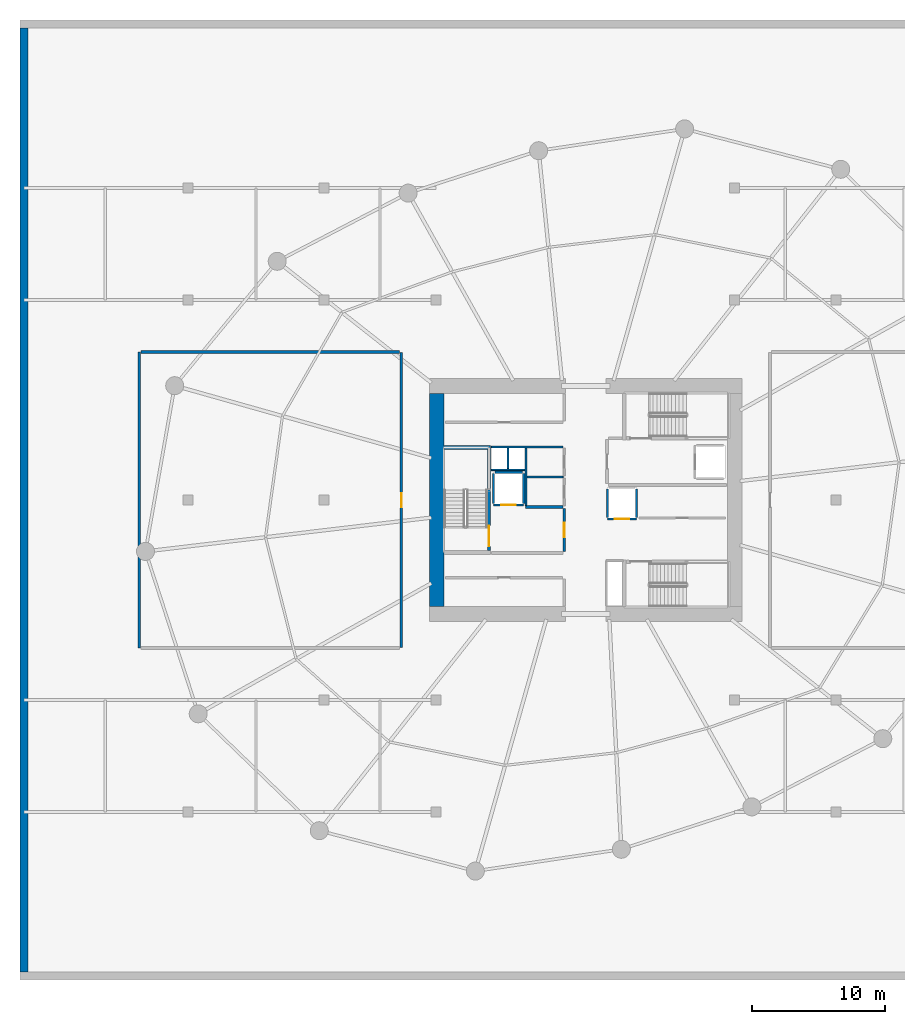
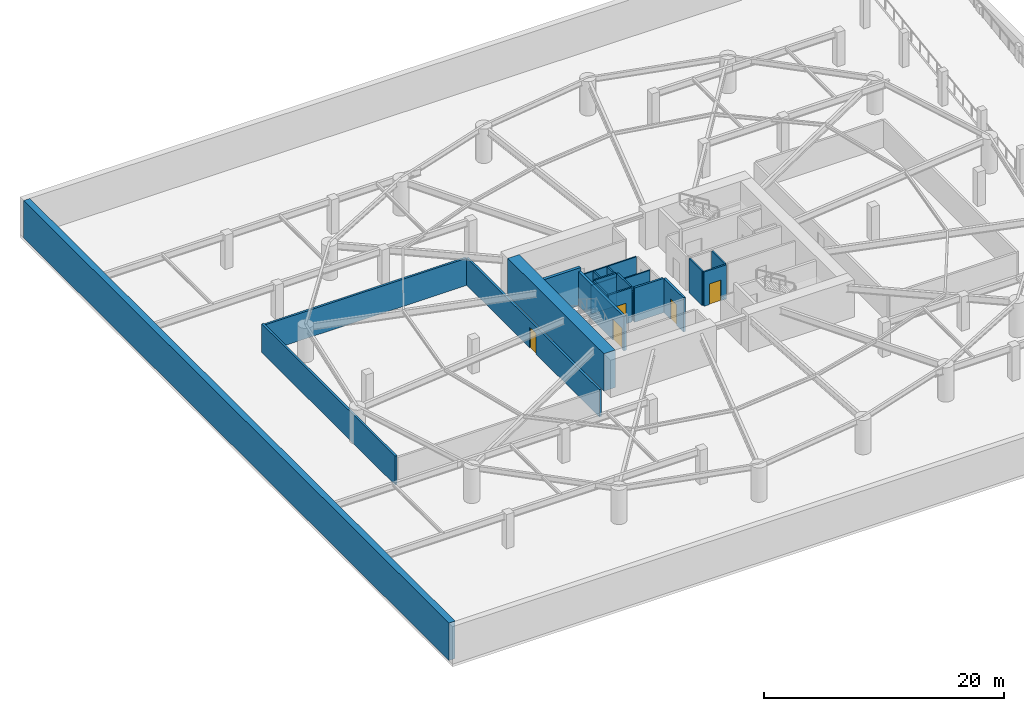
# One storey, part 9 of 13: 21 walls, 5 doors, 5 openings.
"""IFC4 building model written with IfcOpenShell, lengths in metres."""

from ifc_helpers import new_model, si_unit, direction, frame, frame_2d, origin, place, context, subcontext, project, spatial, rectangle, extrude, material, layer, layer_set, type_object, element, fill, save


model = new_model("IFC4")

# Units and contexts
model_context = context("Model", 3, precision=1e-05, world=origin(), true_north=direction((0.0, 1.0)))
body_context = subcontext(model_context, "Body", "Model", "MODEL_VIEW")
ifc_project = project(units=[si_unit("LENGTHUNIT", "METRE"), si_unit("AREAUNIT", "SQUARE_METRE"), si_unit("VOLUMEUNIT", "CUBIC_METRE"), si_unit("PLANEANGLEUNIT", "RADIAN"), si_unit("MASSUNIT", "GRAM", prefix="KILO")], contexts=[model_context])

# Site, building, storey
site_placement = place(None, origin())
site = spatial("IfcSite", under=ifc_project, at=site_placement, CompositionType="ELEMENT")
building_placement = place(site_placement, origin())
building = spatial("IfcBuilding", under=site, at=building_placement, Name="Kazma Halo Residences", CompositionType="ELEMENT")
storey_placement = place(building_placement, frame((0.0, 0.0, -3.800048828125)))
storey = spatial("IfcBuildingStorey", under=building, at=storey_placement, Name="B01", CompositionType="ELEMENT", Elevation=-3.800048828125)

# Walls
ifc_material_1 = material(Name="Concrete C80/95", Category="concrete")
ifc_layer_1 = layer(ifc_material_1, 1.10009765625)
ifc_layer_set_1 = layer_set([ifc_layer_1], Name="Concrete C80/95")
wall_type_1 = type_object("IfcWallType", Name="WL-CORE-1100", PredefinedType="SHEAR", material=ifc_layer_set_1)
wall_1_placement = place(storey_placement, frame((37.25, 34.0, 0.0), z_axis=(0.0, 0.0, 1.0), x_axis=(0.0, 1.0, 0.0)))
element("IfcWall", 1, at=wall_1_placement, inside=storey, type_object=wall_type_1, Name="B01 central core shear wall W", PredefinedType="SHEAR", context=body_context, shape_type="SweptSolid", body=[
    extrude(rectangle(XDim=16.0, YDim=1.10009765625, at=frame_2d((8.0, 0.0))), origin(), (0.0, 0.0, 1.0), 3.800048828125),
])
ifc_material_2 = material(Name="Concrete C60/75", Category="concrete")
ifc_layer_2 = layer(ifc_material_2, 0.280029296875)
ifc_layer_set_2 = layer_set([ifc_layer_2], Name="Concrete C60/75")
wall_type_2 = type_object("IfcWallType", Name="WL-CORE-ST-280", PredefinedType="SHEAR", material=ifc_layer_set_2)
wall_2_placement = place(storey_placement, frame((37.800048828125, 45.93994140625, 0.0), z_axis=(0.0, 0.0, 1.0), x_axis=(1.0, 0.0, 0.0)))
element("IfcWall", 2, at=wall_2_placement, inside=storey, type_object=wall_type_2, Name="B01 stairwell bearing wall ST01-N", PredefinedType="SHEAR", context=body_context, shape_type="SweptSolid", body=[
    extrude(rectangle(XDim=3.5, YDim=0.280029296875, at=frame_2d((1.75, 0.0))), origin(), (0.0, 0.0, 1.0), 3.800048828125),
])

# Wall, opening, door
ifc_material_3 = material(Name="Fire-Rated Blockwork Masonry", Category="masonry")
ifc_layer_3 = layer(ifc_material_3, 0.199951171875)
ifc_layer_set_3 = layer_set([ifc_layer_3], Name="Fire-Rated Blockwork Masonry")
wall_type_3 = type_object("IfcWallType", Name="WL-FLB-200", PredefinedType="PARTITIONING", material=ifc_layer_set_3)
wall_3_placement = place(storey_placement, frame((43.780029296875, 41.6201171875, 0.0), z_axis=(0.0, 0.0, 1.0), x_axis=(-1.0, 0.0, 0.0)))
wall_3 = element("IfcWall", 3, at=wall_3_placement, inside=storey, type_object=wall_type_3, Name="B01 lift shaft FL-01 front wall", PredefinedType="PARTITIONING", context=body_context, shape_type="SweptSolid", body=[
    extrude(rectangle(XDim=2.260009765625, YDim=0.159912109375, at=frame_2d((1.1298828125, 0.0))), origin(), (0.0, 0.0, 1.0), 3.47998046875),
])
opening_1_placement = place(wall_3_placement, frame((0.580078125, 0.0, 0.0)))
opening_1 = element("IfcOpeningElement", 4, at=opening_1_placement, cuts=wall_3, Name="Opening LD-FL-01", PredefinedType="OPENING", context=body_context, shape_type="SweptSolid", body=[
    extrude(rectangle(XDim=1.10009765625, YDim=2.10009765625, at=frame_2d((0.550048828125, 1.050048828125))), frame((0.0, 0.08984375, 0.0), z_axis=(0.0, -1.0, 0.0), x_axis=(1.0, 0.0, 0.0)), (0.0, 0.0, 1.0), 0.179931640625),
])
ifc_material_4 = material(Name="Stainless Steel Fire-Rated", Category="steel")
door_type_1 = type_object("IfcDoorType", Name="DR-LIFT-SLD-1100", OperationType="DOUBLE_DOOR_SLIDING", PredefinedType="DOOR", material=ifc_material_4)
door_1_placement = place(opening_1_placement, origin())
door_1 = element("IfcDoor", 5, at=door_1_placement, inside=storey, type_object=door_type_1, Name="B01 lift FL-01 sliding landing door", OperationType="DOUBLE_DOOR_SLIDING", OverallHeight=2.10009765625, OverallWidth=1.10009765625, PredefinedType="DOOR", context=body_context, shape_type="SweptSolid", body=[
    extrude(rectangle(XDim=1.10009765625, YDim=2.10009765625, at=frame_2d((0.550048828125, 1.050048828125))), frame((0.0, 0.02490234375, 0.0), z_axis=(0.0, -1.0, 0.0), x_axis=(1.0, 0.0, 0.0)), (0.0, 0.0, 1.0), 0.050048828125),
])
fill(opening_1, door_1)

# Walls
for number, where, z_axis, x_axis, name in (
    (6, (43.780029296875, 41.719970703125, 0.0), (0.0, 0.0, 1.0), (0.0, 1.0, 0.0), "B01 lift shaft FL-01 side wall E"),
    (7, (41.52001953125, 41.719970703125, 0.0), (0.0, 0.0, 1.0), (0.0, 1.0, 0.0), "B01 lift shaft FL-01 side wall W"),
):
    element("IfcWall", number, at=place(storey_placement, frame(where, z_axis=z_axis, x_axis=x_axis)), inside=storey, type_object=wall_type_3, Name=name, PredefinedType="PARTITIONING", context=body_context, shape_type="SweptSolid", body=[
        extrude(rectangle(XDim=2.260009765625, YDim=0.159912109375, at=frame_2d((1.1298828125, 0.0))), origin(), (0.0, 0.0, 1.0), 3.47998046875),
    ])
wall_4_placement = place(storey_placement, frame((41.6201171875, 44.080078125, 0.0), z_axis=(0.0, 0.0, 1.0), x_axis=(1.0, 0.0, 0.0)))
element("IfcWall", 8, at=wall_4_placement, inside=storey, type_object=wall_type_3, Name="B01 lift shaft FL-01 side wall N", PredefinedType="PARTITIONING", context=body_context, shape_type="SweptSolid", body=[
    extrude(rectangle(XDim=2.059814453125, YDim=0.159912109375, at=frame_2d((1.02978515625, 0.0))), origin(), (0.0, 0.0, 1.0), 3.47998046875),
])

# Wall, opening, door
wall_5_placement = place(storey_placement, frame((52.22998046875, 40.570068359375, 0.0), z_axis=(0.0, 0.0, 1.0), x_axis=(-1.0, 0.0, 0.0)))
wall_5 = element("IfcWall", 9, at=wall_5_placement, inside=storey, type_object=wall_type_3, Name="B01 lift shaft SV-01 front wall", PredefinedType="PARTITIONING", context=body_context, shape_type="SweptSolid", body=[
    extrude(rectangle(XDim=2.159912109375, YDim=0.159912109375, at=frame_2d((1.080078125, 0.0))), origin(), (0.0, 0.0, 1.0), 3.47998046875),
])
opening_2_placement = place(wall_5_placement, frame((0.530029296875, 0.0, 0.0)))
opening_2 = element("IfcOpeningElement", 10, at=opening_2_placement, cuts=wall_5, Name="Opening LD-SV-01", PredefinedType="OPENING", context=body_context, shape_type="SweptSolid", body=[
    extrude(rectangle(XDim=1.10009765625, YDim=2.10009765625, at=frame_2d((0.550048828125, 1.050048828125))), frame((0.0, 0.08984375, 0.0), z_axis=(0.0, -1.0, 0.0), x_axis=(1.0, 0.0, 0.0)), (0.0, 0.0, 1.0), 0.179931640625),
])
door_2_placement = place(opening_2_placement, origin())
door_2 = element("IfcDoor", 11, at=door_2_placement, inside=storey, type_object=door_type_1, Name="B01 lift SV-01 sliding landing door", OperationType="DOUBLE_DOOR_SLIDING", OverallHeight=2.10009765625, OverallWidth=1.10009765625, PredefinedType="DOOR", context=body_context, shape_type="SweptSolid", body=[
    extrude(rectangle(XDim=1.10009765625, YDim=2.10009765625, at=frame_2d((0.550048828125, 1.050048828125))), frame((0.0, 0.02490234375, 0.0), z_axis=(0.0, -1.0, 0.0), x_axis=(1.0, 0.0, 0.0)), (0.0, 0.0, 1.0), 0.050048828125),
])
fill(opening_2, door_2)

# Walls
for number, where, z_axis, x_axis, name in (
    (12, (52.22998046875, 40.669921875, 0.0), (0.0, 0.0, 1.0), (0.0, 1.0, 0.0), "B01 lift shaft SV-01 side wall E"),
    (13, (50.070068359375, 40.669921875, 0.0), (0.0, 0.0, 1.0), (0.0, 1.0, 0.0), "B01 lift shaft SV-01 side wall W"),
):
    element("IfcWall", number, at=place(storey_placement, frame(where, z_axis=z_axis, x_axis=x_axis)), inside=storey, type_object=wall_type_3, Name=name, PredefinedType="PARTITIONING", context=body_context, shape_type="SweptSolid", body=[
        extrude(rectangle(XDim=2.16015625, YDim=0.159912109375, at=frame_2d((1.080078125, 0.0))), origin(), (0.0, 0.0, 1.0), 3.47998046875),
    ])
wall_6_placement = place(storey_placement, frame((43.919921875, 41.47998046875, 0.0), z_axis=(0.0, 0.0, 1.0), x_axis=(1.0, 0.0, 0.0)))
element("IfcWall", 14, at=wall_6_placement, inside=storey, type_object=wall_type_3, Name="B01 west firefighting lobby north smoke wall", PredefinedType="PARTITIONING", context=body_context, shape_type="SweptSolid", body=[
    extrude(rectangle(XDim=2.800048828125, YDim=0.199951171875, at=frame_2d((1.39990234375, 0.0))), origin(), (0.0, 0.0, 1.0), 3.47998046875),
])

# Wall, opening, door
wall_7_placement = place(storey_placement, frame((46.820068359375, 38.1201171875, 0.0), z_axis=(0.0, 0.0, 1.0), x_axis=(0.0, 1.0, 0.0)))
wall_7 = element("IfcWall", 15, at=wall_7_placement, inside=storey, type_object=wall_type_3, Name="B01 west firefighting lobby smoke wall", PredefinedType="PARTITIONING", context=body_context, shape_type="SweptSolid", body=[
    extrude(rectangle(XDim=3.259765625, YDim=0.199951171875, at=frame_2d((1.6298828125, 0.0))), origin(), (0.0, 0.0, 1.0), 3.47998046875),
])
opening_3_placement = place(wall_7_placement, frame((1.10498046875, 0.0, 0.0)))
opening_3 = element("IfcOpeningElement", 16, at=opening_3_placement, cuts=wall_7, Name="Opening D-FLW", PredefinedType="OPENING", context=body_context, shape_type="SweptSolid", body=[
    extrude(rectangle(XDim=1.050048828125, YDim=2.10009765625, at=frame_2d((0.52490234375, 1.050048828125))), frame((0.0, 0.10986328125, 0.0), z_axis=(0.0, -1.0, 0.0), x_axis=(1.0, 0.0, 0.0)), (0.0, 0.0, 1.0), 0.219970703125),
])
ifc_material_5 = material(Name="Fire-Rated Steel Leaf", Category="steel")
door_type_2 = type_object("IfcDoorType", Name="DR-FD90-1050", OperationType="NOTDEFINED", PredefinedType="DOOR", material=ifc_material_5)
door_3_placement = place(opening_3_placement, origin())
door_3 = element("IfcDoor", 17, at=door_3_placement, inside=storey, type_object=door_type_2, Name="B01 west firefighting lobby smoke door", OperationType="SINGLE_SWING_RIGHT", OverallHeight=2.10009765625, OverallWidth=1.050048828125, PredefinedType="DOOR", context=body_context, shape_type="SweptSolid", body=[
    extrude(rectangle(XDim=1.050048828125, YDim=2.10009765625, at=frame_2d((0.52490234375, 1.050048828125))), frame((0.0, 0.02490234375, 0.0), z_axis=(0.0, -1.0, 0.0), x_axis=(1.0, 0.0, 0.0)), (0.0, 0.0, 1.0), 0.050048828125),
])
fill(opening_3, door_3)

# Walls
wall_8_placement = place(storey_placement, frame((14.949951171875, 30.89990234375, 0.0), z_axis=(0.0, 0.0, 1.0), x_axis=(0.0, 1.0, 0.0)))
element("IfcWall", 18, at=wall_8_placement, inside=storey, type_object=wall_type_3, Name="B01 west plant west wall", PredefinedType="PARTITIONING", context=body_context, shape_type="SweptSolid", body=[
    extrude(rectangle(XDim=22.2001953125, YDim=0.199951171875, at=frame_2d((11.10009765625, 0.0))), origin(), (0.0, 0.0, 1.0), 2.920166015625),
])
wall_9_placement = place(storey_placement, frame((15.070068359375, 53.10009765625, 0.0), z_axis=(0.0, 0.0, 1.0), x_axis=(1.0, 0.0, 0.0)))
element("IfcWall", 19, at=wall_9_placement, inside=storey, type_object=wall_type_3, Name="B01 west plant north wall", PredefinedType="PARTITIONING", context=body_context, shape_type="SweptSolid", body=[
    extrude(rectangle(XDim=19.409912109375, YDim=0.199951171875, at=frame_2d((9.705078125, 0.0))), origin(), (0.0, 0.0, 1.0), 2.77099609375),
])

# Wall, opening, door
wall_10_placement = place(storey_placement, frame((34.60009765625, 30.949951171875, 0.0), z_axis=(0.0, 0.0, 1.0), x_axis=(0.0, 1.0, 0.0)))
wall_10 = element("IfcWall", 20, at=wall_10_placement, inside=storey, type_object=wall_type_3, Name="B01 basement plant room W fire wall", PredefinedType="PARTITIONING", context=body_context, shape_type="SweptSolid", body=[
    extrude(rectangle(XDim=22.10009765625, YDim=0.199951171875, at=frame_2d((11.050048828125, 0.0))), origin(), (0.0, 0.0, 1.0), 2.77099609375),
])
opening_4_placement = place(wall_10_placement, frame((10.52490234375, 0.0, 0.0)))
opening_4 = element("IfcOpeningElement", 21, at=opening_4_placement, cuts=wall_10, Name="Opening DF-1050", PredefinedType="OPENING", context=body_context, shape_type="SweptSolid", body=[
    extrude(rectangle(XDim=1.050048828125, YDim=2.10009765625, at=frame_2d((0.52490234375, 1.050048828125))), frame((0.0, 0.10986328125, 0.0), z_axis=(0.0, -1.0, 0.0), x_axis=(1.0, 0.0, 0.0)), (0.0, 0.0, 1.0), 0.219970703125),
])
door_4_placement = place(opening_4_placement, origin())
door_4 = element("IfcDoor", 22, at=door_4_placement, inside=storey, type_object=door_type_2, Name="B01 basement plant W personnel door", OperationType="SINGLE_SWING_RIGHT", OverallHeight=2.10009765625, OverallWidth=1.050048828125, PredefinedType="DOOR", context=body_context, shape_type="SweptSolid", body=[
    extrude(rectangle(XDim=1.050048828125, YDim=2.10009765625, at=frame_2d((0.52490234375, 1.050048828125))), frame((0.0, 0.02490234375, 0.0), z_axis=(0.0, -1.0, 0.0), x_axis=(1.0, 0.0, 0.0)), (0.0, 0.0, 1.0), 0.050048828125),
])
fill(opening_4, door_4)

# Walls
ifc_material_6 = material(Name="Gypsum Plasterboard Partition")
ifc_layer_4 = layer(ifc_material_6, 0.125)
ifc_layer_set_4 = layer_set([ifc_layer_4], Name="Gypsum Plasterboard Partition")
wall_type_4 = type_object("IfcWallType", Name="WL-PART-125", PredefinedType="PARTITIONING", material=ifc_layer_set_4)
wall_11_placement = place(storey_placement, frame((41.360107421875, 45.97998046875, 0.0), z_axis=(0.0, 0.0, 1.0), x_axis=(1.0, 0.0, 0.0)))
element("IfcWall", 23, at=wall_11_placement, inside=storey, type_object=wall_type_4, Name="B01 core north riser wall", PredefinedType="PARTITIONING", context=body_context, shape_type="SweptSolid", body=[
    extrude(rectangle(XDim=5.35986328125, YDim=0.125, at=frame_2d((2.679931640625, 0.0))), origin(), (0.0, 0.0, 1.0), 2.920166015625),
])
wall_12_placement = place(storey_placement, frame((41.360107421875, 44.260009765625, 0.0), z_axis=(0.0, 0.0, 1.0), x_axis=(1.0, 0.0, 0.0)))
element("IfcWall", 24, at=wall_12_placement, inside=storey, type_object=wall_type_4, Name="B01 core riser south wall", PredefinedType="PARTITIONING", context=body_context, shape_type="SweptSolid", body=[
    extrude(rectangle(XDim=2.5, YDim=0.125, at=frame_2d((1.25, 0.0))), origin(), (0.0, 0.0, 1.0), 2.920166015625),
])
wall_13_placement = place(storey_placement, frame((42.60009765625, 44.35009765625, 0.0), z_axis=(0.0, 0.0, 1.0), x_axis=(0.0, 1.0, 0.0)))
element("IfcWall", 25, at=wall_13_placement, inside=storey, type_object=wall_type_4, Name="B01 core riser divider wall", PredefinedType="PARTITIONING", context=body_context, shape_type="SweptSolid", body=[
    extrude(rectangle(XDim=1.5498046875, YDim=0.125, at=frame_2d((0.77490234375, 0.0))), origin(), (0.0, 0.0, 1.0), 2.920166015625),
])
wall_14_placement = place(storey_placement, frame((43.949951171875, 41.580078125, 0.0), z_axis=(0.0, 0.0, 1.0), x_axis=(0.0, 1.0, 0.0)))
element("IfcWall", 26, at=wall_14_placement, inside=storey, type_object=wall_type_4, Name="B01 core service west wall", PredefinedType="PARTITIONING", context=body_context, shape_type="SweptSolid", body=[
    extrude(rectangle(XDim=4.31982421875, YDim=0.125, at=frame_2d((2.159912109375, 0.0))), origin(), (0.0, 0.0, 1.0), 2.920166015625),
])
wall_15_placement = place(storey_placement, frame((44.030029296875, 43.72998046875, 0.0), z_axis=(0.0, 0.0, 1.0), x_axis=(1.0, 0.0, 0.0)))
element("IfcWall", 27, at=wall_15_placement, inside=storey, type_object=wall_type_4, Name="B01 switch/IDF divider", PredefinedType="PARTITIONING", context=body_context, shape_type="SweptSolid", body=[
    extrude(rectangle(XDim=2.7099609375, YDim=0.125, at=frame_2d((1.35498046875, 0.0))), origin(), (0.0, 0.0, 1.0), 2.920166015625),
])
ifc_material_7 = material(Name="Concrete C50/60", Category="concrete")
ifc_layer_5 = layer(ifc_material_7, 0.60009765625)
ifc_layer_set_5 = layer_set([ifc_layer_5], Name="Concrete C50/60")
wall_type_5 = type_object("IfcWallType", Name="WL-RET-600", PredefinedType="USERDEFINED", material=ifc_layer_set_5)
wall_16_placement = place(storey_placement, frame((6.300048828125, 6.60009765625, 0.0), z_axis=(0.0, 0.0, 1.0), x_axis=(0.0, 1.0, 0.0)))
element("IfcWall", 28, at=wall_16_placement, inside=storey, type_object=wall_type_5, Name="B01 W perimeter retaining wall", ObjectType="RETAININGWALL", PredefinedType="USERDEFINED", context=body_context, shape_type="SweptSolid", body=[
    extrude(rectangle(XDim=70.7998046875, YDim=0.60009765625, at=frame_2d((35.39990234375, 0.0))), origin(), (0.0, 0.0, 1.0), 3.800048828125),
])

# Wall, opening, door
ifc_layer_6 = layer(ifc_material_7, 0.25)
ifc_layer_set_6 = layer_set([ifc_layer_6], Name="Concrete C50/60")
wall_type_6 = type_object("IfcWallType", Name="WL-SHF-250", PredefinedType="SOLIDWALL", material=ifc_layer_set_6)
wall_17_placement = place(storey_placement, frame((41.179931640625, 38.219970703125, 0.0), z_axis=(0.0, 0.0, 1.0), x_axis=(0.0, 1.0, 0.0)))
wall_17 = element("IfcWall", 29, at=wall_17_placement, inside=storey, type_object=wall_type_6, Name="B01 exit stair ST-01 enclosure wall", PredefinedType="SOLIDWALL", context=body_context, shape_type="SweptSolid", body=[
    extrude(rectangle(XDim=7.56005859375, YDim=0.25, at=frame_2d((3.780029296875, 0.0))), origin(), (0.0, 0.0, 1.0), 3.47998046875),
])
opening_5_placement = place(wall_17_placement, frame((0.300048828125, 0.0, 0.0)))
opening_5 = element("IfcOpeningElement", 30, at=opening_5_placement, cuts=wall_17, Name="Opening D-ST1", PredefinedType="OPENING", context=body_context, shape_type="SweptSolid", body=[
    extrude(rectangle(XDim=1.550048828125, YDim=2.14990234375, at=frame_2d((0.77490234375, 1.074951171875))), frame((0.0, 0.135009765625, 0.0), z_axis=(0.0, -1.0, 0.0), x_axis=(1.0, 0.0, 0.0)), (0.0, 0.0, 1.0), 0.27001953125),
])
ifc_material_8 = material(Name="Fire-Rated Double Steel Leaf", Category="steel")
door_type_3 = type_object("IfcDoorType", Name="DR-FD90-1550", OperationType="NOTDEFINED", PredefinedType="DOOR", material=ifc_material_8)
door_5_placement = place(opening_5_placement, origin())
door_5 = element("IfcDoor", 31, at=door_5_placement, inside=storey, type_object=door_type_3, Name="B01 exit stair ST-01 fire door", OperationType="DOUBLE_DOOR_SINGLE_SWING", OverallHeight=2.14990234375, OverallWidth=1.550048828125, PredefinedType="DOOR", context=body_context, shape_type="SweptSolid", body=[
    extrude(rectangle(XDim=1.550048828125, YDim=2.14990234375, at=frame_2d((0.77490234375, 1.074951171875))), frame((0.0, 0.02490234375, 0.0), z_axis=(0.0, -1.0, 0.0), x_axis=(1.0, 0.0, 0.0)), (0.0, 0.0, 1.0), 0.050048828125),
])
fill(opening_5, door_5)

save(model, "model.ifc")
